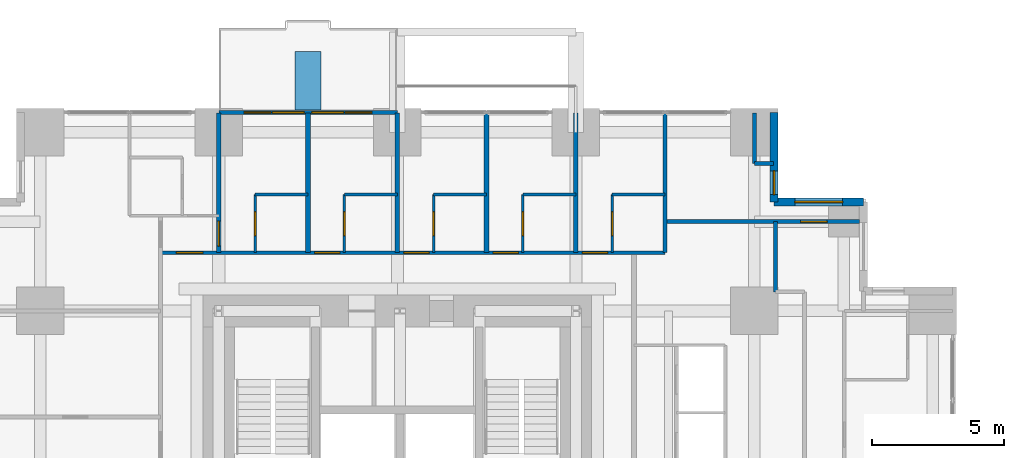
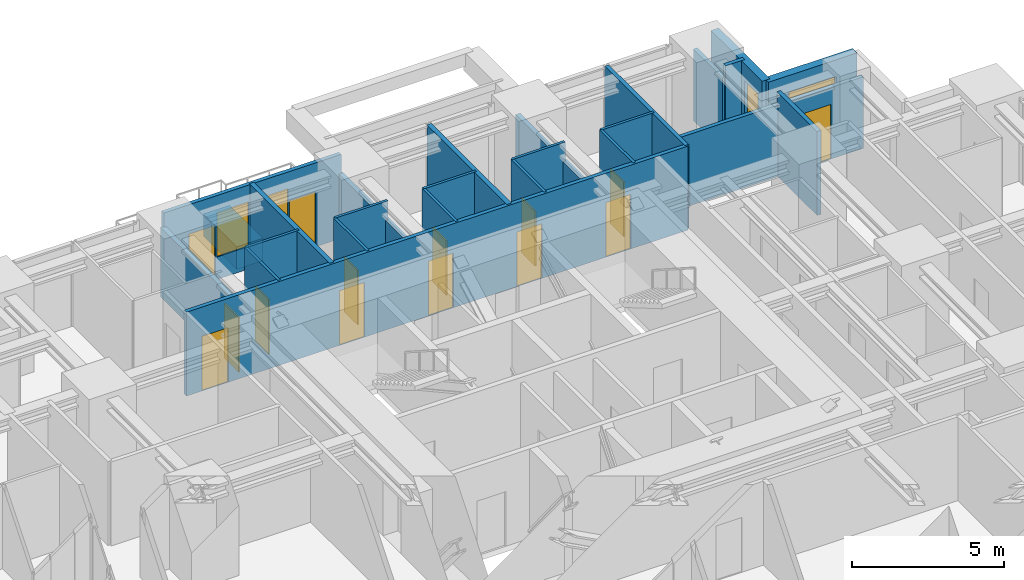
# One storey, part 11 of 13: 25 walls, 14 doors, 4 windows, 18 openings.
"""IFC4 building model written with IfcOpenShell, lengths in metres."""

from ifc_helpers import new_model, si_unit, direction, frame, frame_2d, origin, place, context, subcontext, project, spatial, rectangle, extrude, material, layer, layer_set, type_object, element, fill, save


model = new_model("IFC4")

# Units and contexts
model_context = context("Model", 3, precision=1e-05, world=origin(), true_north=direction((0.0, 1.0)))
body_context = subcontext(model_context, "Body", "Model", "MODEL_VIEW")
ifc_project = project(units=[si_unit("LENGTHUNIT", "METRE"), si_unit("AREAUNIT", "SQUARE_METRE"), si_unit("VOLUMEUNIT", "CUBIC_METRE"), si_unit("PLANEANGLEUNIT", "RADIAN"), si_unit("MASSUNIT", "GRAM", prefix="KILO")], contexts=[model_context])

# Site, building, storey
site_placement = place(None, origin())
site = spatial("IfcSite", under=ifc_project, at=site_placement, CompositionType="ELEMENT")
building_placement = place(site_placement, origin())
building = spatial("IfcBuilding", under=site, at=building_placement, Name="Nyansa Garden Tower", CompositionType="ELEMENT")
storey_placement = place(building_placement, frame((0.0, 0.0, 87.300048828125)))
storey = spatial("IfcBuildingStorey", under=building, at=storey_placement, Name="L23", CompositionType="ELEMENT", Elevation=87.300048828125)

# Wall, opening, door
ifc_material_1 = material(Name="Dense blockwork, plastered both sides, 55 dB", Category="masonry")
ifc_layer_1 = layer(ifc_material_1, 0.175048828125)
ifc_layer_set_1 = layer_set([ifc_layer_1], Name="Acoustic party wall PW175")
wall_type_1 = type_object("IfcWallType", Name="Acoustic party wall PW175", PredefinedType="PARTITIONING", material=ifc_layer_set_1)
wall_1_placement = place(storey_placement, frame((13.5, 29.199951171875, 0.0), z_axis=(0.0, 0.0, 1.0), x_axis=(0.0, 1.0, 0.0)))
wall_1 = element("IfcWall", 1, at=wall_1_placement, inside=storey, type_object=wall_type_1, Name="Party wall", PredefinedType="PARTITIONING", context=body_context, shape_type="SweptSolid", body=[
    extrude(rectangle(XDim=5.283935546875, YDim=0.175048828125, at=frame_2d((2.64208984375, 0.0))), origin(), (0.0, 0.0, 1.0), 2.805908203125),
])
opening_1_placement = place(wall_1_placement, frame((0.25, 0.0, 0.0)))
opening_1 = element("IfcOpeningElement", 2, at=opening_1_placement, cuts=wall_1, Name="Opening D14", PredefinedType="OPENING", context=body_context, shape_type="SweptSolid", body=[
    extrude(rectangle(XDim=0.949951171875, YDim=2.199951171875, at=frame_2d((0.47509765625, 1.10009765625))), frame((0.0, 0.097412109375, 0.0), z_axis=(0.0, -1.0, 0.0), x_axis=(1.0, 0.0, 0.0)), (0.0, 0.0, 1.0), 0.195068359375),
])
ifc_material_2 = material(Name="Timber flush door, 60 minute fire resisting, self-closing", Category="wood")
door_type_1 = type_object("IfcDoorType", Name="Studio entrance door D14 950x2200", OperationType="SINGLE_SWING_LEFT", PredefinedType="DOOR", material=ifc_material_2)
door_1_placement = place(opening_1_placement, origin())
door_1 = element("IfcDoor", 3, at=door_1_placement, inside=storey, type_object=door_type_1, Name="Door L23-043", OperationType="SINGLE_SWING_LEFT", OverallHeight=2.199951171875, OverallWidth=0.949951171875, PredefinedType="DOOR", context=body_context, shape_type="SweptSolid", body=[
    extrude(rectangle(XDim=0.949951171875, YDim=2.199951171875, at=frame_2d((0.47509765625, 1.10009765625))), frame((0.0, 0.02490234375, 0.0), z_axis=(0.0, -1.0, 0.0), x_axis=(1.0, 0.0, 0.0)), (0.0, 0.0, 1.0), 0.050048828125),
])
fill(opening_1, door_1)

# Walls
wall_2_placement = place(storey_placement, frame((16.875, 29.199951171875, 0.0), z_axis=(0.0, 0.0, 1.0), x_axis=(0.0, 1.0, 0.0)))
element("IfcWall", 4, at=wall_2_placement, inside=storey, type_object=wall_type_1, Name="Party wall", PredefinedType="PARTITIONING", context=body_context, shape_type="SweptSolid", body=[
    extrude(rectangle(XDim=5.283935546875, YDim=0.175048828125, at=frame_2d((2.64208984375, 0.0))), origin(), (0.0, 0.0, 1.0), 3.375),
])
wall_3_placement = place(storey_placement, frame((20.25, 29.199951171875, 0.0), z_axis=(0.0, 0.0, 1.0), x_axis=(0.0, 1.0, 0.0)))
element("IfcWall", 5, at=wall_3_placement, inside=storey, type_object=wall_type_1, Name="Party wall", PredefinedType="PARTITIONING", context=body_context, shape_type="SweptSolid", body=[
    extrude(rectangle(XDim=5.283935546875, YDim=0.175048828125, at=frame_2d((2.64208984375, 0.0))), origin(), (0.0, 0.0, 1.0), 2.60986328125),
])
wall_4_placement = place(storey_placement, frame((23.625, 29.199951171875, 0.0), z_axis=(0.0, 0.0, 1.0), x_axis=(0.0, 1.0, 0.0)))
element("IfcWall", 6, at=wall_4_placement, inside=storey, type_object=wall_type_1, Name="Party wall", PredefinedType="PARTITIONING", context=body_context, shape_type="SweptSolid", body=[
    extrude(rectangle(XDim=5.283935546875, YDim=0.175048828125, at=frame_2d((2.64208984375, 0.0))), origin(), (0.0, 0.0, 1.0), 3.375),
])
wall_5_placement = place(storey_placement, frame((27.0, 29.199951171875, 0.0), z_axis=(0.0, 0.0, 1.0), x_axis=(0.0, 1.0, 0.0)))
element("IfcWall", 7, at=wall_5_placement, inside=storey, type_object=wall_type_1, Name="Party wall", PredefinedType="PARTITIONING", context=body_context, shape_type="SweptSolid", body=[
    extrude(rectangle(XDim=5.283935546875, YDim=0.175048828125, at=frame_2d((2.64208984375, 0.0))), origin(), (0.0, 0.0, 1.0), 2.60986328125),
])

# Wall, openings, doors, windows
ifc_material_3 = material(Name="Black aluminium framed glazed screen", Category="aluminium")
ifc_layer_2 = layer(ifc_material_3, 0.14990234375)
ifc_layer_set_2 = layer_set([ifc_layer_2], Name="Balcony screen wall BW150")
wall_type_2 = type_object("IfcWallType", Name="Balcony screen wall BW150", PredefinedType="SOLIDWALL", material=ifc_layer_set_2)
wall_6_placement = place(storey_placement, frame((13.5, 34.5, 0.0), z_axis=(0.0, 0.0, 1.0), x_axis=(1.0, 0.0, 0.0)))
wall_6 = element("IfcWall", 8, at=wall_6_placement, inside=storey, type_object=wall_type_2, Name="Glazed screen wall L23 N", PredefinedType="SOLIDWALL", context=body_context, shape_type="SweptSolid", body=[
    extrude(rectangle(XDim=6.75, YDim=0.14990234375, at=frame_2d((3.375, 0.0))), origin(), (0.0, 0.0, 1.0), 3.375),
])
opening_2_placement = place(wall_6_placement, frame((0.96240234375, 0.0, 0.0)))
opening_2 = element("IfcOpeningElement", 9, at=opening_2_placement, cuts=wall_6, Name="Opening D20", PredefinedType="OPENING", context=body_context, shape_type="SweptSolid", body=[
    extrude(rectangle(XDim=1.0, YDim=2.199951171875, at=frame_2d((0.5, 1.10009765625))), frame((0.0, 0.0849609375, 0.0), z_axis=(0.0, -1.0, 0.0), x_axis=(1.0, 0.0, 0.0)), (0.0, 0.0, 1.0), 0.169921875),
])
opening_3_placement = place(wall_6_placement, frame((2.02490234375, 0.0, 0.89990234375)))
opening_3 = element("IfcOpeningElement", 10, at=opening_3_placement, cuts=wall_6, Name="Opening W6", PredefinedType="OPENING", context=body_context, shape_type="SweptSolid", body=[
    extrude(rectangle(XDim=1.199951171875, YDim=1.800048828125, at=frame_2d((0.60009765625, 0.89990234375))), frame((0.0, 0.0849609375, 0.0), z_axis=(0.0, -1.0, 0.0), x_axis=(1.0, 0.0, 0.0)), (0.0, 0.0, 1.0), 0.169921875),
])
opening_4_placement = place(wall_6_placement, frame((4.78759765625, 0.0, 0.0)))
opening_4 = element("IfcOpeningElement", 11, at=opening_4_placement, cuts=wall_6, Name="Opening D20", PredefinedType="OPENING", context=body_context, shape_type="SweptSolid", body=[
    extrude(rectangle(XDim=1.0, YDim=2.199951171875, at=frame_2d((0.5, 1.10009765625))), frame((0.0, 0.0849609375, 0.0), z_axis=(0.0, -1.0, 0.0), x_axis=(1.0, 0.0, 0.0)), (0.0, 0.0, 1.0), 0.169921875),
])
opening_5_placement = place(wall_6_placement, frame((3.52490234375, 0.0, 0.89990234375)))
opening_5 = element("IfcOpeningElement", 12, at=opening_5_placement, cuts=wall_6, Name="Opening W6", PredefinedType="OPENING", context=body_context, shape_type="SweptSolid", body=[
    extrude(rectangle(XDim=1.199951171875, YDim=1.800048828125, at=frame_2d((0.60009765625, 0.89990234375))), frame((0.0, 0.0849609375, 0.0), z_axis=(0.0, -1.0, 0.0), x_axis=(1.0, 0.0, 0.0)), (0.0, 0.0, 1.0), 0.169921875),
])
ifc_material_4 = material(Name="Black aluminium framed glazed door", Category="aluminium")
door_type_2 = type_object("IfcDoorType", Name="Balcony door D20 1000x2200", OperationType="NOTDEFINED", PredefinedType="DOOR", material=ifc_material_4)
door_2_placement = place(opening_2_placement, origin())
door_2 = element("IfcDoor", 13, at=door_2_placement, inside=storey, type_object=door_type_2, Name="Balcony door L23", OperationType="SINGLE_SWING_LEFT", OverallHeight=2.199951171875, OverallWidth=1.0, PredefinedType="DOOR", context=body_context, shape_type="SweptSolid", body=[
    extrude(rectangle(XDim=1.0, YDim=2.199951171875, at=frame_2d((0.5, 1.10009765625))), frame((0.0, 0.02490234375, 0.0), z_axis=(0.0, -1.0, 0.0), x_axis=(1.0, 0.0, 0.0)), (0.0, 0.0, 1.0), 0.050048828125),
])
fill(opening_2, door_2)
door_3_placement = place(opening_4_placement, origin())
door_3 = element("IfcDoor", 14, at=door_3_placement, inside=storey, type_object=door_type_2, Name="Balcony door L23", OperationType="SINGLE_SWING_RIGHT", OverallHeight=2.199951171875, OverallWidth=1.0, PredefinedType="DOOR", context=body_context, shape_type="SweptSolid", body=[
    extrude(rectangle(XDim=1.0, YDim=2.199951171875, at=frame_2d((0.5, 1.10009765625))), frame((0.0, 0.02490234375, 0.0), z_axis=(0.0, -1.0, 0.0), x_axis=(1.0, 0.0, 0.0)), (0.0, 0.0, 1.0), 0.050048828125),
])
fill(opening_4, door_3)
ifc_material_5 = material(Name="Black aluminium frame, dark tinted double glazing", Category="aluminium")
window_type_1 = type_object("IfcWindowType", Name="Balcony window W6 1200x1800", PartitioningType="SINGLE_PANEL", PredefinedType="WINDOW", material=ifc_material_5)
window_1_placement = place(opening_3_placement, origin())
window_1 = element("IfcWindow", 15, at=window_1_placement, inside=storey, type_object=window_type_1, Name="Window L23", OverallHeight=1.800048828125, OverallWidth=1.199951171875, PartitioningType="SINGLE_PANEL", PredefinedType="WINDOW", context=body_context, shape_type="SweptSolid", body=[
    extrude(rectangle(XDim=1.199951171875, YDim=1.800048828125, at=frame_2d((0.60009765625, 0.89990234375))), frame((0.0, 0.030029296875, 0.0), z_axis=(0.0, -1.0, 0.0), x_axis=(1.0, 0.0, 0.0)), (0.0, 0.0, 1.0), 0.06005859375),
])
fill(opening_3, window_1)
window_2_placement = place(opening_5_placement, origin())
window_2 = element("IfcWindow", 16, at=window_2_placement, inside=storey, type_object=window_type_1, Name="Window L23", OverallHeight=1.800048828125, OverallWidth=1.199951171875, PartitioningType="SINGLE_PANEL", PredefinedType="WINDOW", context=body_context, shape_type="SweptSolid", body=[
    extrude(rectangle(XDim=1.199951171875, YDim=1.800048828125, at=frame_2d((0.60009765625, 0.89990234375))), frame((0.0, 0.030029296875, 0.0), z_axis=(0.0, -1.0, 0.0), x_axis=(1.0, 0.0, 0.0)), (0.0, 0.0, 1.0), 0.06005859375),
])
fill(opening_5, window_2)

# Wall, openings, doors
ifc_material_6 = material(Name="Blockwork, plastered both sides", Category="masonry")
ifc_layer_3 = layer(ifc_material_6, 0.14990234375)
ifc_layer_set_3 = layer_set([ifc_layer_3], Name="Partition PW150")
wall_type_3 = type_object("IfcWallType", Name="Partition PW150", PredefinedType="PARTITIONING", material=ifc_layer_set_3)
wall_7_placement = place(storey_placement, frame((11.300048828125, 29.199951171875, 0.0), z_axis=(0.0, 0.0, 1.0), x_axis=(1.0, 0.0, 0.0)))
wall_7 = element("IfcWall", 17, at=wall_7_placement, inside=storey, type_object=wall_type_3, Name="Partition", PredefinedType="PARTITIONING", context=body_context, shape_type="SweptSolid", body=[
    extrude(rectangle(XDim=19.074951171875, YDim=0.14990234375, at=frame_2d((9.53759765625, 0.0))), origin(), (0.0, 0.0, 1.0), 3.375),
])
opening_6_placement = place(wall_7_placement, frame((5.824951171875, 0.0, 0.0)))
opening_6 = element("IfcOpeningElement", 18, at=opening_6_placement, cuts=wall_7, Name="Opening D14", PredefinedType="OPENING", context=body_context, shape_type="SweptSolid", body=[
    extrude(rectangle(XDim=0.949951171875, YDim=2.199951171875, at=frame_2d((0.47509765625, 1.10009765625))), frame((0.0, 0.0849609375, 0.0), z_axis=(0.0, -1.0, 0.0), x_axis=(1.0, 0.0, 0.0)), (0.0, 0.0, 1.0), 0.169921875),
])
opening_7_placement = place(wall_7_placement, frame((9.199951171875, 0.0, 0.0)))
opening_7 = element("IfcOpeningElement", 19, at=opening_7_placement, cuts=wall_7, Name="Opening D14", PredefinedType="OPENING", context=body_context, shape_type="SweptSolid", body=[
    extrude(rectangle(XDim=0.949951171875, YDim=2.199951171875, at=frame_2d((0.47509765625, 1.10009765625))), frame((0.0, 0.0849609375, 0.0), z_axis=(0.0, -1.0, 0.0), x_axis=(1.0, 0.0, 0.0)), (0.0, 0.0, 1.0), 0.169921875),
])
opening_8_placement = place(wall_7_placement, frame((12.574951171875, 0.0, 0.0)))
opening_8 = element("IfcOpeningElement", 20, at=opening_8_placement, cuts=wall_7, Name="Opening D14", PredefinedType="OPENING", context=body_context, shape_type="SweptSolid", body=[
    extrude(rectangle(XDim=0.949951171875, YDim=2.199951171875, at=frame_2d((0.47509765625, 1.10009765625))), frame((0.0, 0.0849609375, 0.0), z_axis=(0.0, -1.0, 0.0), x_axis=(1.0, 0.0, 0.0)), (0.0, 0.0, 1.0), 0.169921875),
])
opening_9_placement = place(wall_7_placement, frame((15.949951171875, 0.0, 0.0)))
opening_9 = element("IfcOpeningElement", 21, at=opening_9_placement, cuts=wall_7, Name="Opening D14", PredefinedType="OPENING", context=body_context, shape_type="SweptSolid", body=[
    extrude(rectangle(XDim=0.949951171875, YDim=2.199951171875, at=frame_2d((0.47509765625, 1.10009765625))), frame((0.0, 0.0849609375, 0.0), z_axis=(0.0, -1.0, 0.0), x_axis=(1.0, 0.0, 0.0)), (0.0, 0.0, 1.0), 0.169921875),
])
opening_10_placement = place(wall_7_placement, frame((0.60009765625, 0.0, 0.0)))
opening_10 = element("IfcOpeningElement", 22, at=opening_10_placement, cuts=wall_7, Name="Opening D03", PredefinedType="OPENING", context=body_context, shape_type="SweptSolid", body=[
    extrude(rectangle(XDim=1.0, YDim=2.199951171875, at=frame_2d((0.5, 1.10009765625))), frame((0.0, 0.0849609375, 0.0), z_axis=(0.0, -1.0, 0.0), x_axis=(1.0, 0.0, 0.0)), (0.0, 0.0, 1.0), 0.169921875),
])
ifc_material_7 = material(Name="Timber flush door, 60 minute fire resisting", Category="wood")
door_type_3 = type_object("IfcDoorType", Name="Cluster entrance door D03 1000x2200", OperationType="SINGLE_SWING_LEFT", PredefinedType="DOOR", material=ifc_material_7)
door_4_placement = place(opening_10_placement, origin())
door_4 = element("IfcDoor", 23, at=door_4_placement, inside=storey, type_object=door_type_3, Name="Door L23-053", OperationType="SINGLE_SWING_LEFT", OverallHeight=2.199951171875, OverallWidth=1.0, PredefinedType="DOOR", context=body_context, shape_type="SweptSolid", body=[
    extrude(rectangle(XDim=1.0, YDim=2.199951171875, at=frame_2d((0.5, 1.10009765625))), frame((0.0, 0.02490234375, 0.0), z_axis=(0.0, -1.0, 0.0), x_axis=(1.0, 0.0, 0.0)), (0.0, 0.0, 1.0), 0.050048828125),
])
fill(opening_10, door_4)
door_5_placement = place(opening_6_placement, origin())
door_5 = element("IfcDoor", 24, at=door_5_placement, inside=storey, type_object=door_type_1, Name="Door L23-045", OperationType="SINGLE_SWING_LEFT", OverallHeight=2.199951171875, OverallWidth=0.949951171875, PredefinedType="DOOR", context=body_context, shape_type="SweptSolid", body=[
    extrude(rectangle(XDim=0.949951171875, YDim=2.199951171875, at=frame_2d((0.47509765625, 1.10009765625))), frame((0.0, 0.02490234375, 0.0), z_axis=(0.0, -1.0, 0.0), x_axis=(1.0, 0.0, 0.0)), (0.0, 0.0, 1.0), 0.050048828125),
])
fill(opening_6, door_5)
door_6_placement = place(opening_7_placement, origin())
door_6 = element("IfcDoor", 25, at=door_6_placement, inside=storey, type_object=door_type_1, Name="Door L23-047", OperationType="SINGLE_SWING_LEFT", OverallHeight=2.199951171875, OverallWidth=0.949951171875, PredefinedType="DOOR", context=body_context, shape_type="SweptSolid", body=[
    extrude(rectangle(XDim=0.949951171875, YDim=2.199951171875, at=frame_2d((0.47509765625, 1.10009765625))), frame((0.0, 0.02490234375, 0.0), z_axis=(0.0, -1.0, 0.0), x_axis=(1.0, 0.0, 0.0)), (0.0, 0.0, 1.0), 0.050048828125),
])
fill(opening_7, door_6)
door_7_placement = place(opening_8_placement, origin())
door_7 = element("IfcDoor", 26, at=door_7_placement, inside=storey, type_object=door_type_1, Name="Door L23-049", OperationType="SINGLE_SWING_LEFT", OverallHeight=2.199951171875, OverallWidth=0.949951171875, PredefinedType="DOOR", context=body_context, shape_type="SweptSolid", body=[
    extrude(rectangle(XDim=0.949951171875, YDim=2.199951171875, at=frame_2d((0.47509765625, 1.10009765625))), frame((0.0, 0.02490234375, 0.0), z_axis=(0.0, -1.0, 0.0), x_axis=(1.0, 0.0, 0.0)), (0.0, 0.0, 1.0), 0.050048828125),
])
fill(opening_8, door_7)
door_8_placement = place(opening_9_placement, origin())
door_8 = element("IfcDoor", 27, at=door_8_placement, inside=storey, type_object=door_type_1, Name="Door L23-051", OperationType="SINGLE_SWING_LEFT", OverallHeight=2.199951171875, OverallWidth=0.949951171875, PredefinedType="DOOR", context=body_context, shape_type="SweptSolid", body=[
    extrude(rectangle(XDim=0.949951171875, YDim=2.199951171875, at=frame_2d((0.47509765625, 1.10009765625))), frame((0.0, 0.02490234375, 0.0), z_axis=(0.0, -1.0, 0.0), x_axis=(1.0, 0.0, 0.0)), (0.0, 0.0, 1.0), 0.050048828125),
])
fill(opening_9, door_8)

# Wall
wall_8_placement = place(storey_placement, frame((30.375, 29.199951171875, 0.0), z_axis=(0.0, 0.0, 1.0), x_axis=(0.0, 1.0, 0.0)))
element("IfcWall", 28, at=wall_8_placement, inside=storey, type_object=wall_type_3, Name="Partition", PredefinedType="PARTITIONING", context=body_context, shape_type="SweptSolid", body=[
    extrude(rectangle(XDim=5.283935546875, YDim=0.14990234375, at=frame_2d((2.64208984375, 0.0))), origin(), (0.0, 0.0, 1.0), 3.375),
])

# Wall, opening, door
wall_9_placement = place(storey_placement, frame((30.375, 30.375, 0.0), z_axis=(0.0, 0.0, 1.0), x_axis=(1.0, 0.0, 0.0)))
wall_9 = element("IfcWall", 29, at=wall_9_placement, inside=storey, type_object=wall_type_3, Name="Partition", PredefinedType="PARTITIONING", context=body_context, shape_type="SweptSolid", body=[
    extrude(rectangle(XDim=7.35009765625, YDim=0.14990234375, at=frame_2d((3.675048828125, 0.0))), origin(), (0.0, 0.0, 1.0), 2.876953125),
])
opening_11_placement = place(wall_9_placement, frame((5.125, 0.0, 0.0)))
opening_11 = element("IfcOpeningElement", 30, at=opening_11_placement, cuts=wall_9, Name="Opening D03", PredefinedType="OPENING", context=body_context, shape_type="SweptSolid", body=[
    extrude(rectangle(XDim=1.0, YDim=2.199951171875, at=frame_2d((0.5, 1.10009765625))), frame((0.0, 0.0849609375, 0.0), z_axis=(0.0, -1.0, 0.0), x_axis=(1.0, 0.0, 0.0)), (0.0, 0.0, 1.0), 0.169921875),
])
door_9_placement = place(opening_11_placement, origin())
door_9 = element("IfcDoor", 31, at=door_9_placement, inside=storey, type_object=door_type_3, Name="Door L23-040", OperationType="SINGLE_SWING_LEFT", OverallHeight=2.199951171875, OverallWidth=1.0, PredefinedType="DOOR", context=body_context, shape_type="SweptSolid", body=[
    extrude(rectangle(XDim=1.0, YDim=2.199951171875, at=frame_2d((0.5, 1.10009765625))), frame((0.0, 0.02490234375, 0.0), z_axis=(0.0, -1.0, 0.0), x_axis=(1.0, 0.0, 0.0)), (0.0, 0.0, 1.0), 0.050048828125),
])
fill(opening_11, door_9)

# Walls
wall_10_placement = place(storey_placement, frame((33.75, 32.570068359375, 0.0), z_axis=(0.0, 0.0, 1.0), x_axis=(0.0, 1.0, 0.0)))
element("IfcWall", 32, at=wall_10_placement, inside=storey, type_object=wall_type_3, Name="Partition", PredefinedType="PARTITIONING", context=body_context, shape_type="SweptSolid", body=[
    extrude(rectangle(XDim=1.913818359375, YDim=0.14990234375, at=frame_2d((0.95703125, 0.0))), origin(), (0.0, 0.0, 1.0), 2.876953125),
])
wall_11_placement = place(storey_placement, frame((33.75, 32.570068359375, 0.0), z_axis=(0.0, 0.0, 1.0), x_axis=(1.0, 0.0, 0.0)))
element("IfcWall", 33, at=wall_11_placement, inside=storey, type_object=wall_type_3, Name="Partition", PredefinedType="PARTITIONING", context=body_context, shape_type="SweptSolid", body=[
    extrude(rectangle(XDim=0.73388671875, YDim=0.14990234375, at=frame_2d((0.366943359375, 0.0))), origin(), (0.0, 0.0, 1.0), 3.375),
])
wall_12_placement = place(storey_placement, frame((34.550048828125, 27.72509765625, 0.0), z_axis=(0.0, 0.0, 1.0), x_axis=(0.0, 1.0, 0.0)))
element("IfcWall", 34, at=wall_12_placement, inside=storey, type_object=wall_type_3, Name="Partition", PredefinedType="PARTITIONING", context=body_context, shape_type="SweptSolid", body=[
    extrude(rectangle(XDim=2.64990234375, YDim=0.14990234375, at=frame_2d((1.324951171875, 0.0))), origin(), (0.0, 0.0, 1.0), 3.375),
])

# Wall, opening, window
ifc_material_8 = material(Name="Turquoise glazed tile on concrete blockwork", Category="masonry")
ifc_layer_4 = layer(ifc_material_8, 0.300048828125)
ifc_layer_set_4 = layer_set([ifc_layer_4], Name="Tiled corner wall TW300")
wall_type_4 = type_object("IfcWallType", Name="Tiled corner wall TW300", PredefinedType="SOLIDWALL", material=ifc_layer_set_4)
wall_13_placement = place(storey_placement, frame((37.875, 31.125, 0.0), z_axis=(0.0, 0.0, 1.0), x_axis=(-1.0, 0.0, 0.0)))
wall_13 = element("IfcWall", 35, at=wall_13_placement, inside=storey, type_object=wall_type_4, Name="Tiled corner wall L23", PredefinedType="SOLIDWALL", context=body_context, shape_type="SweptSolid", body=[
    extrude(rectangle(XDim=3.375, YDim=0.300048828125, at=frame_2d((1.6875, 0.0))), origin(), (0.0, 0.0, 1.0), 3.375),
])
opening_12_placement = place(wall_13_placement, frame((0.78759765625, 0.0, 0.60009765625)))
opening_12 = element("IfcOpeningElement", 36, at=opening_12_placement, cuts=wall_13, Name="Opening W2", PredefinedType="OPENING", context=body_context, shape_type="SweptSolid", body=[
    extrude(rectangle(XDim=1.800048828125, YDim=2.10009765625, at=frame_2d((0.89990234375, 1.050048828125))), frame((0.0, 0.159912109375, 0.0), z_axis=(0.0, -1.0, 0.0), x_axis=(1.0, 0.0, 0.0)), (0.0, 0.0, 1.0), 0.320068359375),
])
ifc_material_9 = material(Name="Black aluminium frame, dark tinted double glazing", Category="aluminium")
window_type_2 = type_object("IfcWindowType", Name="Window W2 1800x2100", PartitioningType="SINGLE_PANEL", PredefinedType="WINDOW", material=ifc_material_9)
window_3_placement = place(opening_12_placement, origin())
window_3 = element("IfcWindow", 37, at=window_3_placement, inside=storey, type_object=window_type_2, Name="Corner window L23", OverallHeight=2.10009765625, OverallWidth=1.800048828125, PartitioningType="SINGLE_PANEL", PredefinedType="WINDOW", context=body_context, shape_type="SweptSolid", body=[
    extrude(rectangle(XDim=1.800048828125, YDim=2.10009765625, at=frame_2d((0.89990234375, 1.050048828125))), frame((0.0, 0.030029296875, 0.0), z_axis=(0.0, -1.0, 0.0), x_axis=(1.0, 0.0, 0.0)), (0.0, 0.0, 1.0), 0.06005859375),
])
fill(opening_12, window_3)

wall_14_placement = place(storey_placement, frame((34.5, 31.125, 0.0), z_axis=(0.0, 0.0, 1.0), x_axis=(0.0, 1.0, 0.0)))
wall_14 = element("IfcWall", 38, at=wall_14_placement, inside=storey, type_object=wall_type_4, Name="Tiled corner wall L23", PredefinedType="SOLIDWALL", context=body_context, shape_type="SweptSolid", body=[
    extrude(rectangle(XDim=3.375, YDim=0.300048828125, at=frame_2d((1.6875, 0.0))), origin(), (0.0, 0.0, 1.0), 3.375),
])
opening_13_placement = place(wall_14_placement, frame((0.2724609375, 0.0, 0.89990234375)))
opening_13 = element("IfcOpeningElement", 39, at=opening_13_placement, cuts=wall_14, Name="Opening W7", PredefinedType="OPENING", context=body_context, shape_type="SweptSolid", body=[
    extrude(rectangle(XDim=0.89990234375, YDim=1.800048828125, at=frame_2d((0.449951171875, 0.89990234375))), frame((0.0, 0.159912109375, 0.0), z_axis=(0.0, -1.0, 0.0), x_axis=(1.0, 0.0, 0.0)), (0.0, 0.0, 1.0), 0.320068359375),
])
ifc_material_10 = material(Name="Black aluminium frame, dark tinted double glazing", Category="aluminium")
window_type_3 = type_object("IfcWindowType", Name="Balcony window W7 900x1800", PartitioningType="SINGLE_PANEL", PredefinedType="WINDOW", material=ifc_material_10)
window_4_placement = place(opening_13_placement, origin())
window_4 = element("IfcWindow", 40, at=window_4_placement, inside=storey, type_object=window_type_3, Name="Corner window L23", OverallHeight=1.800048828125, OverallWidth=0.89990234375, PartitioningType="SINGLE_PANEL", PredefinedType="WINDOW", context=body_context, shape_type="SweptSolid", body=[
    extrude(rectangle(XDim=0.89990234375, YDim=1.800048828125, at=frame_2d((0.449951171875, 0.89990234375))), frame((0.0, 0.030029296875, 0.0), z_axis=(0.0, -1.0, 0.0), x_axis=(1.0, 0.0, 0.0)), (0.0, 0.0, 1.0), 0.06005859375),
])
fill(opening_13, window_4)

# Wall
ifc_material_11 = material(Name="Concrete C40/50 planter, waterproofed", Category="concrete")
ifc_layer_5 = layer(ifc_material_11, 1.0)
ifc_layer_set_5 = layer_set([ifc_layer_5], Name="Tree planter TP1")
wall_type_5 = type_object("IfcWallType", Name="Tree planter TP1", PredefinedType="USERDEFINED", material=ifc_layer_set_5)
wall_15_placement = place(storey_placement, frame((16.875, 34.60009765625, 0.0), z_axis=(0.0, 0.0, 1.0), x_axis=(0.0, 1.0, 0.0)))
element("IfcWall", 41, at=wall_15_placement, inside=storey, type_object=wall_type_5, Name="Tree planter L23", ObjectType="TREE PLANTER", PredefinedType="USERDEFINED", context=body_context, shape_type="SweptSolid", body=[
    extrude(rectangle(XDim=2.199951171875, YDim=1.0, at=frame_2d((1.10009765625, 0.0))), origin(), (0.0, 0.0, 1.0), 0.89990234375),
])

# Wall, opening, door
ifc_material_12 = material(Name="Moisture resistant board on steel studs, tiled", Category="steel")
ifc_layer_6 = layer(ifc_material_12, 0.10009765625)
ifc_layer_set_6 = layer_set([ifc_layer_6], Name="Wet wall PW100")
wall_type_6 = type_object("IfcWallType", Name="Wet wall PW100", PredefinedType="PARTITIONING", material=ifc_layer_set_6)
wall_16_placement = place(storey_placement, frame((14.875, 29.199951171875, 0.0), z_axis=(0.0, 0.0, 1.0), x_axis=(0.0, 1.0, 0.0)))
wall_16 = element("IfcWall", 42, at=wall_16_placement, inside=storey, type_object=wall_type_6, Name="Wet wall", PredefinedType="PARTITIONING", context=body_context, shape_type="SweptSolid", body=[
    extrude(rectangle(XDim=2.199951171875, YDim=0.10009765625, at=frame_2d((1.10009765625, 0.0))), origin(), (0.0, 0.0, 1.0), 3.375),
])
opening_14_placement = place(wall_16_placement, frame((0.64990234375, 0.0, 0.0)))
opening_14 = element("IfcOpeningElement", 43, at=opening_14_placement, cuts=wall_16, Name="Opening D02", PredefinedType="OPENING", context=body_context, shape_type="SweptSolid", body=[
    extrude(rectangle(XDim=0.89990234375, YDim=2.199951171875, at=frame_2d((0.449951171875, 1.10009765625))), frame((0.0, 0.06005859375, 0.0), z_axis=(0.0, -1.0, 0.0), x_axis=(1.0, 0.0, 0.0)), (0.0, 0.0, 1.0), 0.1201171875),
])
ifc_material_13 = material(Name="Timber flush door", Category="wood")
door_type_4 = type_object("IfcDoorType", Name="En-suite door D02 900x2200", OperationType="SINGLE_SWING_RIGHT", PredefinedType="DOOR", material=ifc_material_13)
door_10_placement = place(opening_14_placement, origin())
door_10 = element("IfcDoor", 44, at=door_10_placement, inside=storey, type_object=door_type_4, Name="Door L23-044", OperationType="SINGLE_SWING_RIGHT", OverallHeight=2.199951171875, OverallWidth=0.89990234375, PredefinedType="DOOR", context=body_context, shape_type="SweptSolid", body=[
    extrude(rectangle(XDim=0.89990234375, YDim=2.199951171875, at=frame_2d((0.449951171875, 1.10009765625))), frame((0.0, 0.02490234375, 0.0), z_axis=(0.0, -1.0, 0.0), x_axis=(1.0, 0.0, 0.0)), (0.0, 0.0, 1.0), 0.050048828125),
])
fill(opening_14, door_10)

# Wall
wall_17_placement = place(storey_placement, frame((14.875, 31.39990234375, 0.0), z_axis=(0.0, 0.0, 1.0), x_axis=(1.0, 0.0, 0.0)))
element("IfcWall", 45, at=wall_17_placement, inside=storey, type_object=wall_type_6, Name="Wet wall", PredefinedType="PARTITIONING", context=body_context, shape_type="SweptSolid", body=[
    extrude(rectangle(XDim=2.0, YDim=0.10009765625, at=frame_2d((1.0, 0.0))), origin(), (0.0, 0.0, 1.0), 3.375),
])

# Wall, opening, door
wall_18_placement = place(storey_placement, frame((18.25, 29.199951171875, 0.0), z_axis=(0.0, 0.0, 1.0), x_axis=(0.0, 1.0, 0.0)))
wall_18 = element("IfcWall", 46, at=wall_18_placement, inside=storey, type_object=wall_type_6, Name="Wet wall", PredefinedType="PARTITIONING", context=body_context, shape_type="SweptSolid", body=[
    extrude(rectangle(XDim=2.199951171875, YDim=0.10009765625, at=frame_2d((1.10009765625, 0.0))), origin(), (0.0, 0.0, 1.0), 3.375),
])
opening_15_placement = place(wall_18_placement, frame((0.64990234375, 0.0, 0.0)))
opening_15 = element("IfcOpeningElement", 47, at=opening_15_placement, cuts=wall_18, Name="Opening D02", PredefinedType="OPENING", context=body_context, shape_type="SweptSolid", body=[
    extrude(rectangle(XDim=0.89990234375, YDim=2.199951171875, at=frame_2d((0.449951171875, 1.10009765625))), frame((0.0, 0.06005859375, 0.0), z_axis=(0.0, -1.0, 0.0), x_axis=(1.0, 0.0, 0.0)), (0.0, 0.0, 1.0), 0.1201171875),
])
door_11_placement = place(opening_15_placement, origin())
door_11 = element("IfcDoor", 48, at=door_11_placement, inside=storey, type_object=door_type_4, Name="Door L23-046", OperationType="SINGLE_SWING_RIGHT", OverallHeight=2.199951171875, OverallWidth=0.89990234375, PredefinedType="DOOR", context=body_context, shape_type="SweptSolid", body=[
    extrude(rectangle(XDim=0.89990234375, YDim=2.199951171875, at=frame_2d((0.449951171875, 1.10009765625))), frame((0.0, 0.02490234375, 0.0), z_axis=(0.0, -1.0, 0.0), x_axis=(1.0, 0.0, 0.0)), (0.0, 0.0, 1.0), 0.050048828125),
])
fill(opening_15, door_11)

# Wall
wall_19_placement = place(storey_placement, frame((18.25, 31.39990234375, 0.0), z_axis=(0.0, 0.0, 1.0), x_axis=(1.0, 0.0, 0.0)))
element("IfcWall", 49, at=wall_19_placement, inside=storey, type_object=wall_type_6, Name="Wet wall", PredefinedType="PARTITIONING", context=body_context, shape_type="SweptSolid", body=[
    extrude(rectangle(XDim=2.0, YDim=0.10009765625, at=frame_2d((1.0, 0.0))), origin(), (0.0, 0.0, 1.0), 3.375),
])

# Wall, opening, door
wall_20_placement = place(storey_placement, frame((21.625, 29.199951171875, 0.0), z_axis=(0.0, 0.0, 1.0), x_axis=(0.0, 1.0, 0.0)))
wall_20 = element("IfcWall", 50, at=wall_20_placement, inside=storey, type_object=wall_type_6, Name="Wet wall", PredefinedType="PARTITIONING", context=body_context, shape_type="SweptSolid", body=[
    extrude(rectangle(XDim=2.199951171875, YDim=0.10009765625, at=frame_2d((1.10009765625, 0.0))), origin(), (0.0, 0.0, 1.0), 3.375),
])
opening_16_placement = place(wall_20_placement, frame((0.64990234375, 0.0, 0.0)))
opening_16 = element("IfcOpeningElement", 51, at=opening_16_placement, cuts=wall_20, Name="Opening D02", PredefinedType="OPENING", context=body_context, shape_type="SweptSolid", body=[
    extrude(rectangle(XDim=0.89990234375, YDim=2.199951171875, at=frame_2d((0.449951171875, 1.10009765625))), frame((0.0, 0.06005859375, 0.0), z_axis=(0.0, -1.0, 0.0), x_axis=(1.0, 0.0, 0.0)), (0.0, 0.0, 1.0), 0.1201171875),
])
door_12_placement = place(opening_16_placement, origin())
door_12 = element("IfcDoor", 52, at=door_12_placement, inside=storey, type_object=door_type_4, Name="Door L23-048", OperationType="SINGLE_SWING_RIGHT", OverallHeight=2.199951171875, OverallWidth=0.89990234375, PredefinedType="DOOR", context=body_context, shape_type="SweptSolid", body=[
    extrude(rectangle(XDim=0.89990234375, YDim=2.199951171875, at=frame_2d((0.449951171875, 1.10009765625))), frame((0.0, 0.02490234375, 0.0), z_axis=(0.0, -1.0, 0.0), x_axis=(1.0, 0.0, 0.0)), (0.0, 0.0, 1.0), 0.050048828125),
])
fill(opening_16, door_12)

# Wall
wall_21_placement = place(storey_placement, frame((21.625, 31.39990234375, 0.0), z_axis=(0.0, 0.0, 1.0), x_axis=(1.0, 0.0, 0.0)))
element("IfcWall", 53, at=wall_21_placement, inside=storey, type_object=wall_type_6, Name="Wet wall", PredefinedType="PARTITIONING", context=body_context, shape_type="SweptSolid", body=[
    extrude(rectangle(XDim=2.0, YDim=0.10009765625, at=frame_2d((1.0, 0.0))), origin(), (0.0, 0.0, 1.0), 3.375),
])

# Wall, opening, door
wall_22_placement = place(storey_placement, frame((25.0, 29.199951171875, 0.0), z_axis=(0.0, 0.0, 1.0), x_axis=(0.0, 1.0, 0.0)))
wall_22 = element("IfcWall", 54, at=wall_22_placement, inside=storey, type_object=wall_type_6, Name="Wet wall", PredefinedType="PARTITIONING", context=body_context, shape_type="SweptSolid", body=[
    extrude(rectangle(XDim=2.199951171875, YDim=0.10009765625, at=frame_2d((1.10009765625, 0.0))), origin(), (0.0, 0.0, 1.0), 3.375),
])
opening_17_placement = place(wall_22_placement, frame((0.64990234375, 0.0, 0.0)))
opening_17 = element("IfcOpeningElement", 55, at=opening_17_placement, cuts=wall_22, Name="Opening D02", PredefinedType="OPENING", context=body_context, shape_type="SweptSolid", body=[
    extrude(rectangle(XDim=0.89990234375, YDim=2.199951171875, at=frame_2d((0.449951171875, 1.10009765625))), frame((0.0, 0.06005859375, 0.0), z_axis=(0.0, -1.0, 0.0), x_axis=(1.0, 0.0, 0.0)), (0.0, 0.0, 1.0), 0.1201171875),
])
door_13_placement = place(opening_17_placement, origin())
door_13 = element("IfcDoor", 56, at=door_13_placement, inside=storey, type_object=door_type_4, Name="Door L23-050", OperationType="SINGLE_SWING_RIGHT", OverallHeight=2.199951171875, OverallWidth=0.89990234375, PredefinedType="DOOR", context=body_context, shape_type="SweptSolid", body=[
    extrude(rectangle(XDim=0.89990234375, YDim=2.199951171875, at=frame_2d((0.449951171875, 1.10009765625))), frame((0.0, 0.02490234375, 0.0), z_axis=(0.0, -1.0, 0.0), x_axis=(1.0, 0.0, 0.0)), (0.0, 0.0, 1.0), 0.050048828125),
])
fill(opening_17, door_13)

# Wall
wall_23_placement = place(storey_placement, frame((25.0, 31.39990234375, 0.0), z_axis=(0.0, 0.0, 1.0), x_axis=(1.0, 0.0, 0.0)))
element("IfcWall", 57, at=wall_23_placement, inside=storey, type_object=wall_type_6, Name="Wet wall", PredefinedType="PARTITIONING", context=body_context, shape_type="SweptSolid", body=[
    extrude(rectangle(XDim=2.0, YDim=0.10009765625, at=frame_2d((1.0, 0.0))), origin(), (0.0, 0.0, 1.0), 3.375),
])

# Wall, opening, door
wall_24_placement = place(storey_placement, frame((28.375, 29.199951171875, 0.0), z_axis=(0.0, 0.0, 1.0), x_axis=(0.0, 1.0, 0.0)))
wall_24 = element("IfcWall", 58, at=wall_24_placement, inside=storey, type_object=wall_type_6, Name="Wet wall", PredefinedType="PARTITIONING", context=body_context, shape_type="SweptSolid", body=[
    extrude(rectangle(XDim=2.199951171875, YDim=0.10009765625, at=frame_2d((1.10009765625, 0.0))), origin(), (0.0, 0.0, 1.0), 3.375),
])
opening_18_placement = place(wall_24_placement, frame((0.64990234375, 0.0, 0.0)))
opening_18 = element("IfcOpeningElement", 59, at=opening_18_placement, cuts=wall_24, Name="Opening D02", PredefinedType="OPENING", context=body_context, shape_type="SweptSolid", body=[
    extrude(rectangle(XDim=0.89990234375, YDim=2.199951171875, at=frame_2d((0.449951171875, 1.10009765625))), frame((0.0, 0.06005859375, 0.0), z_axis=(0.0, -1.0, 0.0), x_axis=(1.0, 0.0, 0.0)), (0.0, 0.0, 1.0), 0.1201171875),
])
door_14_placement = place(opening_18_placement, origin())
door_14 = element("IfcDoor", 60, at=door_14_placement, inside=storey, type_object=door_type_4, Name="Door L23-052", OperationType="SINGLE_SWING_RIGHT", OverallHeight=2.199951171875, OverallWidth=0.89990234375, PredefinedType="DOOR", context=body_context, shape_type="SweptSolid", body=[
    extrude(rectangle(XDim=0.89990234375, YDim=2.199951171875, at=frame_2d((0.449951171875, 1.10009765625))), frame((0.0, 0.02490234375, 0.0), z_axis=(0.0, -1.0, 0.0), x_axis=(1.0, 0.0, 0.0)), (0.0, 0.0, 1.0), 0.050048828125),
])
fill(opening_18, door_14)

# Wall
wall_25_placement = place(storey_placement, frame((28.375, 31.39990234375, 0.0), z_axis=(0.0, 0.0, 1.0), x_axis=(1.0, 0.0, 0.0)))
element("IfcWall", 61, at=wall_25_placement, inside=storey, type_object=wall_type_6, Name="Wet wall", PredefinedType="PARTITIONING", context=body_context, shape_type="SweptSolid", body=[
    extrude(rectangle(XDim=2.0, YDim=0.10009765625, at=frame_2d((1.0, 0.0))), origin(), (0.0, 0.0, 1.0), 3.375),
])

save(model, "model.ifc")
